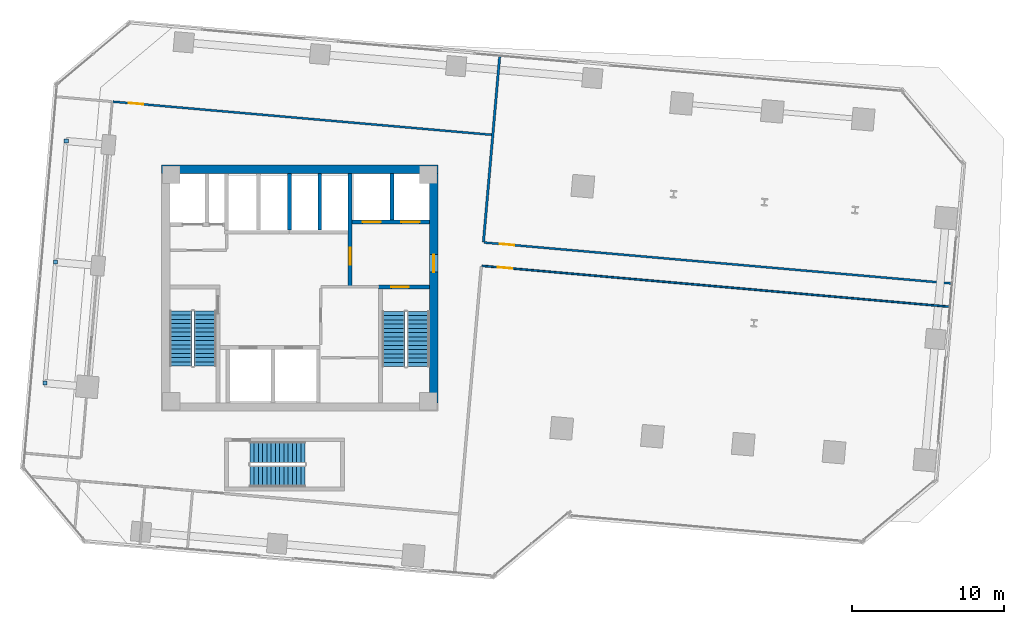
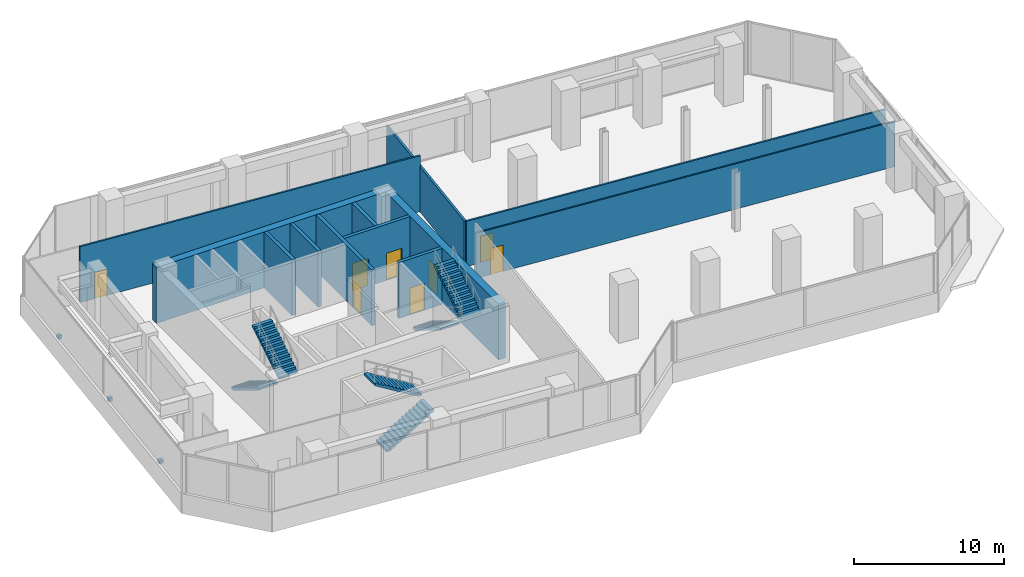
# One storey, part 21 of 24: 12 walls, 8 doors, 6 stair flights, 3 discrete accessories, 8 openings, 3 elements without a shape of their own.
"""IFC4 building model written with IfcOpenShell, lengths in metres."""

from ifc_helpers import new_model, si_unit, direction, frame, frame_2d, origin, origin_2d, place, context, subcontext, project, spatial, polyline, rectangle, outline, extrude, source, transform, mapped, material, layer, layer_set, type_object, element, fill, aggregate, save


model = new_model("IFC4")

# Units and contexts
model_context = context("Model", 3, precision=1e-05, world=origin(), true_north=direction((0.0, 1.0)))
body_context = subcontext(model_context, "Body", "Model", "MODEL_VIEW")
ifc_project = project(units=[si_unit("LENGTHUNIT", "METRE"), si_unit("AREAUNIT", "SQUARE_METRE"), si_unit("VOLUMEUNIT", "CUBIC_METRE"), si_unit("PLANEANGLEUNIT", "RADIAN"), si_unit("MASSUNIT", "GRAM", prefix="KILO")], contexts=[model_context])

# Site, building, storey
site_placement = place(None, origin())
site = spatial("IfcSite", under=ifc_project, at=site_placement, CompositionType="ELEMENT")
building_placement = place(site_placement, origin())
building = spatial("IfcBuilding", under=site, at=building_placement, Name="Torre Montelarca", CompositionType="ELEMENT")
storey_placement = place(building_placement, frame((0.0, 0.0, 47.199951171875)))
storey = spatial("IfcBuildingStorey", under=building, at=storey_placement, Name="L10", CompositionType="ELEMENT", Elevation=47.199951171875)

# Wall, opening, door
ifc_material_1 = material(Name="Concrete C40/50", Category="concrete")
ifc_layer_1 = layer(ifc_material_1, 0.25, Name="Concrete C40/50", Category="concrete")
ifc_layer_set_1 = layer_set([ifc_layer_1], Name="Concrete C40/50")
wall_type_1 = type_object("IfcWallType", Name="CW-SHAFT-250", PredefinedType="SHEAR", material=ifc_layer_set_1)
wall_1_placement = place(storey_placement, frame((23.18994140625, 32.074951171875, 0.0), z_axis=(0.0, 0.0, 1.0), x_axis=(1.0, 0.0, 0.0)))
wall_1 = element("IfcWall", 1, at=wall_1_placement, inside=storey, type_object=wall_type_1, Name="L10 Core Shear Wall SH-ST2-N", PredefinedType="SHEAR", context=body_context, shape_type="SweptSolid", body=[
    extrude(rectangle(XDim=3.35009765625, YDim=0.25, at=frame_2d((1.675048828125, 0.0))), origin(), (0.0, 0.0, 1.0), 4.56005859375),
])
opening_1_placement = place(wall_1_placement, frame((0.85009765625, 0.0, 0.0)))
opening_1 = element("IfcOpeningElement", 2, at=opening_1_placement, cuts=wall_1, Name="Opening FD-ST1", PredefinedType="OPENING", context=body_context, shape_type="SweptSolid", body=[
    extrude(rectangle(XDim=1.14990234375, YDim=2.199951171875, at=frame_2d((0.574951171875, 1.10009765625))), frame((0.0, 0.135009765625, 0.0), z_axis=(0.0, -1.0, 0.0), x_axis=(1.0, 0.0, 0.0)), (0.0, 0.0, 1.0), 0.27001953125),
])
ifc_material_2 = material(Name="Galvanized steel fire door", Category="steel")
door_type_1 = type_object("IfcDoorType", Name="DR-STAIR-115", OperationType="NOTDEFINED", PredefinedType="DOOR", material=ifc_material_2)
shared_shape_1 = source(origin(), body_context, "Body", "SweptSolid", [
    extrude(rectangle(XDim=1.14990234375, YDim=2.199951171875, at=frame_2d((0.574951171875, 1.10009765625))), frame((0.0, 0.02490234375, 0.0), z_axis=(0.0, -1.0, 0.0), x_axis=(1.0, 0.0, 0.0)), (0.0, 0.0, 1.0), 0.050048828125),
])
door_1_placement = place(opening_1_placement, origin())
door_1 = element("IfcDoor", 3, at=door_1_placement, inside=storey, type_object=door_type_1, Name="L10 Exit Stair ST2 Fire Door", OperationType="SINGLE_SWING_RIGHT", OverallHeight=2.199951171875, OverallWidth=1.14990234375, PredefinedType="DOOR", context=body_context, shape_type="MappedRepresentation", body=[
    mapped(shared_shape_1, transform((0.0, 0.0, 0.0), scale=1.0)),
])
fill(opening_1, door_1)

wall_2_placement = place(storey_placement, frame((21.320068359375, 32.1201171875, 0.0), z_axis=(0.0, 0.0, 1.0), x_axis=(0.0, 1.0, 0.0)))
wall_2 = element("IfcWall", 4, at=wall_2_placement, inside=storey, type_object=wall_type_1, Name="L10 Core Shear Wall SH-FFL-W", PredefinedType="SHEAR", context=body_context, shape_type="SweptSolid", body=[
    extrude(rectangle(XDim=7.419921875, YDim=0.25, at=frame_2d((3.7099609375, 0.0))), origin(), (0.0, 0.0, 1.0), 4.56005859375),
])
opening_2_placement = place(wall_2_placement, frame((1.39990234375, 0.0, 0.0)))
opening_2 = element("IfcOpeningElement", 5, at=opening_2_placement, cuts=wall_2, Name="Opening FD-LB1", PredefinedType="OPENING", context=body_context, shape_type="SweptSolid", body=[
    extrude(rectangle(XDim=1.14990234375, YDim=2.199951171875, at=frame_2d((0.574951171875, 1.10009765625))), frame((0.0, 0.135009765625, 0.0), z_axis=(0.0, -1.0, 0.0), x_axis=(1.0, 0.0, 0.0)), (0.0, 0.0, 1.0), 0.27001953125),
])
ifc_material_3 = material(Name="Acoustic timber-veneered fire door", Category="wood")
door_type_2 = type_object("IfcDoorType", Name="DR-LOBBY-115", OperationType="NOTDEFINED", PredefinedType="DOOR", material=ifc_material_3)
shared_shape_2 = source(origin(), body_context, "Body", "SweptSolid", [
    extrude(rectangle(XDim=1.14990234375, YDim=2.199951171875, at=frame_2d((0.574951171875, 1.10009765625))), frame((0.0, 0.02490234375, 0.0), z_axis=(0.0, -1.0, 0.0), x_axis=(1.0, 0.0, 0.0)), (0.0, 0.0, 1.0), 0.050048828125),
])
door_2_placement = place(opening_2_placement, origin())
door_2 = element("IfcDoor", 6, at=door_2_placement, inside=storey, type_object=door_type_2, Name="L10 Lift Lobby to Firefighting Lobby Smoke Door", OperationType="SINGLE_SWING_LEFT", OverallHeight=2.199951171875, OverallWidth=1.14990234375, PredefinedType="DOOR", context=body_context, shape_type="MappedRepresentation", body=[
    mapped(shared_shape_2, transform((0.0, 0.0, 0.0), scale=1.0)),
])
fill(opening_2, door_2)

# Wall, openings, doors
wall_3_placement = place(storey_placement, frame((21.449951171875, 36.35009765625, 0.0), z_axis=(0.0, 0.0, 1.0), x_axis=(1.0, 0.0, 0.0)))
wall_3 = element("IfcWall", 7, at=wall_3_placement, inside=storey, type_object=wall_type_1, Name="L10 Core Shear Wall SH-FF-S", PredefinedType="SHEAR", context=body_context, shape_type="SweptSolid", body=[
    extrude(rectangle(XDim=5.090087890625, YDim=0.25, at=frame_2d((2.544921875, 0.0))), origin(), (0.0, 0.0, 1.0), 4.56005859375),
])
opening_3_placement = place(wall_3_placement, frame((0.699951171875, 0.0, 0.0)))
opening_3 = element("IfcOpeningElement", 8, at=opening_3_placement, cuts=wall_3, Name="Opening LD-120", PredefinedType="OPENING", context=body_context, shape_type="SweptSolid", body=[
    extrude(rectangle(XDim=1.199951171875, YDim=2.199951171875, at=frame_2d((0.60009765625, 1.10009765625))), frame((0.0, 0.135009765625, 0.0), z_axis=(0.0, -1.0, 0.0), x_axis=(1.0, 0.0, 0.0)), (0.0, 0.0, 1.0), 0.27001953125),
])
opening_4_placement = place(wall_3_placement, frame((3.25, 0.0, 0.0)))
opening_4 = element("IfcOpeningElement", 9, at=opening_4_placement, cuts=wall_3, Name="Opening LD-120", PredefinedType="OPENING", context=body_context, shape_type="SweptSolid", body=[
    extrude(rectangle(XDim=1.199951171875, YDim=2.199951171875, at=frame_2d((0.60009765625, 1.10009765625))), frame((0.0, 0.135009765625, 0.0), z_axis=(0.0, -1.0, 0.0), x_axis=(1.0, 0.0, 0.0)), (0.0, 0.0, 1.0), 0.27001953125),
])
ifc_material_4 = material(Name="Brushed stainless steel AISI 316", Category="steel")
door_type_3 = type_object("IfcDoorType", Name="DR-LIFT-120", OperationType="SLIDING_TO_RIGHT", PredefinedType="DOOR", material=ifc_material_4)
shared_shape_3 = source(origin(), body_context, "Body", "SweptSolid", [
    extrude(rectangle(XDim=1.199951171875, YDim=2.199951171875, at=frame_2d((0.60009765625, 1.10009765625))), frame((0.0, 0.02490234375, 0.0), z_axis=(0.0, -1.0, 0.0), x_axis=(1.0, 0.0, 0.0)), (0.0, 0.0, 1.0), 0.050048828125),
])
door_3_placement = place(opening_3_placement, origin())
door_3 = element("IfcDoor", 10, at=door_3_placement, inside=storey, type_object=door_type_3, Name="L10 Lift Landing Sliding Door FF-1", OperationType="SLIDING_TO_LEFT", OverallHeight=2.199951171875, OverallWidth=1.199951171875, PredefinedType="DOOR", context=body_context, shape_type="MappedRepresentation", body=[
    mapped(shared_shape_3, transform((0.0, 0.0, 0.0), scale=1.0)),
])
fill(opening_3, door_3)
door_4_placement = place(opening_4_placement, origin())
door_4 = element("IfcDoor", 11, at=door_4_placement, inside=storey, type_object=door_type_3, Name="L10 Lift Landing Sliding Door FF-2", OperationType="SLIDING_TO_RIGHT", OverallHeight=2.199951171875, OverallWidth=1.199951171875, PredefinedType="DOOR", context=body_context, shape_type="MappedRepresentation", body=[
    mapped(shared_shape_3, transform((0.0, 0.0, 0.0), scale=1.0)),
])
fill(opening_4, door_4)

# Walls
wall_4_placement = place(storey_placement, frame((24.080078125, 36.47998046875, 0.0), z_axis=(0.0, 0.0, 1.0), x_axis=(0.0, 1.0, 0.0)))
element("IfcWall", 12, at=wall_4_placement, inside=storey, type_object=wall_type_1, Name="L10 Core Shear Wall SH-FF-M", PredefinedType="SHEAR", context=body_context, shape_type="SweptSolid", body=[
    extrude(rectangle(XDim=3.06005859375, YDim=0.25, at=frame_2d((1.530029296875, 0.0))), origin(), (0.0, 0.0, 1.0), 4.56005859375),
])
for number, where, z_axis, x_axis, name in (
    (13, (17.320068359375, 35.81005859375, 0.0), (0.0, 0.0, 1.0), (0.0, 1.0, 0.0), "L10 Core Shear Wall SH-PLH-W"),
    (14, (19.320068359375, 35.81005859375, 0.0), (0.0, 0.0, 1.0), (0.0, 1.0, 0.0), "L10 Core Shear Wall SH-PLH-M"),
):
    element("IfcWall", number, at=place(storey_placement, frame(where, z_axis=z_axis, x_axis=x_axis)), inside=storey, type_object=wall_type_1, Name=name, PredefinedType="SHEAR", context=body_context, shape_type="SweptSolid", body=[
        extrude(rectangle(XDim=3.72998046875, YDim=0.25, at=frame_2d((1.864990234375, 0.0))), origin(), (0.0, 0.0, 1.0), 4.56005859375),
    ])

# Wall, opening, door
ifc_material_5 = material(Name="Concrete C70/85", Category="concrete")
ifc_layer_2 = layer(ifc_material_5, 0.550048828125, Name="Concrete C70/85", Category="concrete")
ifc_layer_set_2 = layer_set([ifc_layer_2], Name="Concrete C70/85")
wall_type_2 = type_object("IfcWallType", Name="CW-SHEAR-550", PredefinedType="SHEAR", material=ifc_layer_set_2)
wall_5_placement = place(storey_placement, frame((26.824951171875, 24.449951171875, 0.0), z_axis=(0.0, 0.0, 1.0), x_axis=(0.0, 1.0, 0.0)))
wall_5 = element("IfcWall", 15, at=wall_5_placement, inside=storey, type_object=wall_type_2, Name="L10 Core Shear Wall CW-E", PredefinedType="SHEAR", context=body_context, shape_type="SweptSolid", body=[
    extrude(rectangle(XDim=15.10009765625, YDim=0.550048828125, at=frame_2d((7.550048828125, 0.0))), origin(), (0.0, 0.0, 1.0), 4.56005859375),
])
opening_5_placement = place(wall_5_placement, frame((8.60009765625, 0.0, 0.0)))
opening_5 = element("IfcOpeningElement", 16, at=opening_5_placement, cuts=wall_5, Name="Opening FD-LB1", PredefinedType="OPENING", context=body_context, shape_type="SweptSolid", body=[
    extrude(rectangle(XDim=1.14990234375, YDim=2.199951171875, at=frame_2d((0.574951171875, 1.10009765625))), frame((0.0, 0.28515625, 0.0), z_axis=(0.0, -1.0, 0.0), x_axis=(1.0, 0.0, 0.0)), (0.0, 0.0, 1.0), 0.570068359375),
])
door_5_placement = place(opening_5_placement, origin())
door_5 = element("IfcDoor", 17, at=door_5_placement, inside=storey, type_object=door_type_2, Name="L10 Firefighting Lift Lobby Corridor Fire Door", OperationType="SINGLE_SWING_RIGHT", OverallHeight=2.199951171875, OverallWidth=1.14990234375, PredefinedType="DOOR", context=body_context, shape_type="MappedRepresentation", body=[
    mapped(shared_shape_2, transform((0.0, 0.0, 0.0), scale=1.0)),
])
fill(opening_5, door_5)

# Walls
wall_6_placement = place(storey_placement, frame((8.89990234375, 39.824951171875, 0.0), z_axis=(0.0, 0.0, 1.0), x_axis=(1.0, 0.0, 0.0)))
element("IfcWall", 18, at=wall_6_placement, inside=storey, type_object=wall_type_2, Name="L10 Core Shear Wall CW-N1", PredefinedType="SHEAR", context=body_context, shape_type="SweptSolid", body=[
    extrude(rectangle(XDim=18.2001953125, YDim=0.550048828125, at=frame_2d((9.10009765625, 0.0))), origin(), (0.0, 0.0, 1.0), 4.56005859375),
])
ifc_material_6 = material(Name="Gypsum plasterboard on steel stud", Category="steel")
ifc_layer_3 = layer(ifc_material_6, 0.159912109375, Name="Gypsum plasterboard on steel stud", Category="steel")
ifc_layer_set_3 = layer_set([ifc_layer_3], Name="Gypsum plasterboard on steel stud")
wall_type_3 = type_object("IfcWallType", Name="PW-FIRE-160", PredefinedType="PARTITIONING", material=ifc_layer_set_3)
wall_7_placement = place(storey_placement, frame((30.097900390625, 35.042236328125, 0.0), z_axis=(0.0, 0.0, 1.0), x_axis=(0.087145176091, 0.996195622498, 0.0)))
element("IfcWall", 19, at=wall_7_placement, inside=storey, type_object=wall_type_3, Name="L10 Interior Partition W-L10-ECN", PredefinedType="PARTITIONING", context=body_context, shape_type="SweptSolid", body=[
    extrude(rectangle(XDim=12.239990234375, YDim=0.159912109375, at=frame_2d((6.1201171875, 0.0))), origin(), (0.0, 0.0, 1.0), 3.695068359375),
])

# Wall, opening, door
ifc_layer_4 = layer(ifc_material_6, 0.114990234375, Name="Gypsum plasterboard on steel stud", Category="steel")
ifc_layer_set_4 = layer_set([ifc_layer_4], Name="Gypsum plasterboard on steel stud")
wall_type_4 = type_object("IfcWallType", Name="PW-PART-115", PredefinedType="PARTITIONING", material=ifc_layer_set_4)
wall_8_placement = place(storey_placement, frame((30.0, 33.464599609375, 0.0), z_axis=(0.0, 0.0, 1.0), x_axis=(0.996195270611, -0.087149198574, 0.0)))
wall_8 = element("IfcWall", 20, at=wall_8_placement, inside=storey, type_object=wall_type_4, Name="L10 Interior Partition W-L10-SE-N", PredefinedType="PARTITIONING", context=body_context, shape_type="SweptSolid", body=[
    extrude(rectangle(XDim=30.8798828125, YDim=0.114990234375, at=frame_2d((15.43994140625, 0.0))), origin(), (0.0, 0.0, 1.0), 3.695068359375),
])
opening_6_placement = place(wall_8_placement, frame((1.050048828125, 0.0, 0.0)))
opening_6 = element("IfcOpeningElement", 21, at=opening_6_placement, cuts=wall_8, Name="Opening ID-095", PredefinedType="OPENING", context=body_context, shape_type="SweptSolid", body=[
    extrude(rectangle(XDim=0.949951171875, YDim=2.14990234375, at=frame_2d((0.47509765625, 1.074951171875))), frame((0.0, 0.0673828125, 0.0), z_axis=(0.0, -1.0, 0.0), x_axis=(1.0, 0.0, 0.0)), (0.0, 0.0, 1.0), 0.135009765625),
])
ifc_material_7 = material(Name="Hardwood acoustic timber veneer", Category="wood")
door_type_4 = type_object("IfcDoorType", Name="DR-INT-095", OperationType="NOTDEFINED", PredefinedType="DOOR", material=ifc_material_7)
shared_shape_4 = source(origin(), body_context, "Body", "SweptSolid", [
    extrude(rectangle(XDim=0.949951171875, YDim=2.14990234375, at=frame_2d((0.47509765625, 1.074951171875))), frame((0.0, 0.02490234375, 0.0), z_axis=(0.0, -1.0, 0.0), x_axis=(1.0, 0.0, 0.0)), (0.0, 0.0, 1.0), 0.050048828125),
])
door_6_placement = place(opening_6_placement, origin())
door_6 = element("IfcDoor", 22, at=door_6_placement, inside=storey, type_object=door_type_4, Name="L10 Interior Door 10", OperationType="SINGLE_SWING_LEFT", OverallHeight=2.14990234375, OverallWidth=0.949951171875, PredefinedType="DOOR", context=body_context, shape_type="MappedRepresentation", body=[
    mapped(shared_shape_4, transform((0.0, 0.0, 0.0), scale=1.0)),
])
fill(opening_6, door_6)

ifc_layer_5 = layer(ifc_material_6, 0.135009765625, Name="Gypsum plasterboard on steel stud", Category="steel")
ifc_layer_set_5 = layer_set([ifc_layer_5], Name="Gypsum plasterboard on steel stud")
wall_type_5 = type_object("IfcWallType", Name="PW-PART-135", PredefinedType="PARTITIONING", material=ifc_layer_set_5)
wall_9_placement = place(storey_placement, frame((5.69970703125, 44.273681640625, 0.0), z_axis=(0.0, 0.0, 1.0), x_axis=(0.996195324028, -0.087148587968, 0.0)))
wall_9 = element("IfcWall", 23, at=wall_9_placement, inside=storey, type_object=wall_type_5, Name="L10 Interior Partition W-L10-NBOT", PredefinedType="PARTITIONING", context=body_context, shape_type="SweptSolid", body=[
    extrude(rectangle(XDim=25.070068359375, YDim=0.135009765625, at=frame_2d((12.53515625, 0.0))), origin(), (0.0, 0.0, 1.0), 4.56005859375),
])
opening_7_placement = place(wall_9_placement, frame((1.050048828125, 0.0, 0.0)))
opening_7 = element("IfcOpeningElement", 24, at=opening_7_placement, cuts=wall_9, Name="Opening ID-095", PredefinedType="OPENING", context=body_context, shape_type="SweptSolid", body=[
    extrude(rectangle(XDim=0.949951171875, YDim=2.14990234375, at=frame_2d((0.47509765625, 1.074951171875))), frame((0.0, 0.07763671875, 0.0), z_axis=(0.0, -1.0, 0.0), x_axis=(1.0, 0.0, 0.0)), (0.0, 0.0, 1.0), 0.155029296875),
])
door_7_placement = place(opening_7_placement, origin())
door_7 = element("IfcDoor", 25, at=door_7_placement, inside=storey, type_object=door_type_4, Name="L10 Interior Door 07", OperationType="SINGLE_SWING_LEFT", OverallHeight=2.14990234375, OverallWidth=0.949951171875, PredefinedType="DOOR", context=body_context, shape_type="MappedRepresentation", body=[
    mapped(shared_shape_4, transform((0.0, 0.0, 0.0), scale=1.0)),
])
fill(opening_7, door_7)

wall_10_placement = place(storey_placement, frame((30.13427734375, 34.998779296875, 0.0), z_axis=(0.0, 0.0, 1.0), x_axis=(0.996195270611, -0.087149198574, 0.0)))
wall_10 = element("IfcWall", 26, at=wall_10_placement, inside=storey, type_object=wall_type_5, Name="L10 Interior Partition W-L10-NE-S", PredefinedType="PARTITIONING", context=body_context, shape_type="SweptSolid", body=[
    extrude(rectangle(XDim=30.8798828125, YDim=0.135009765625, at=frame_2d((15.43994140625, 0.0))), origin(), (0.0, 0.0, 1.0), 3.695068359375),
])
opening_8_placement = place(wall_10_placement, frame((1.050048828125, 0.0, 0.0)))
opening_8 = element("IfcOpeningElement", 27, at=opening_8_placement, cuts=wall_10, Name="Opening ID-095", PredefinedType="OPENING", context=body_context, shape_type="SweptSolid", body=[
    extrude(rectangle(XDim=0.949951171875, YDim=2.14990234375, at=frame_2d((0.47509765625, 1.074951171875))), frame((0.0, 0.07763671875, 0.0), z_axis=(0.0, -1.0, 0.0), x_axis=(1.0, 0.0, 0.0)), (0.0, 0.0, 1.0), 0.155029296875),
])
door_8_placement = place(opening_8_placement, origin())
door_8 = element("IfcDoor", 28, at=door_8_placement, inside=storey, type_object=door_type_4, Name="L10 Interior Door 09", OperationType="SINGLE_SWING_LEFT", OverallHeight=2.14990234375, OverallWidth=0.949951171875, PredefinedType="DOOR", context=body_context, shape_type="MappedRepresentation", body=[
    mapped(shared_shape_4, transform((0.0, 0.0, 0.0), scale=1.0)),
])
fill(opening_8, door_8)

# Stair, stair flights
stair_type_1 = type_object("IfcStairType", Name="ST-CORE-ST1", PredefinedType="HALF_TURN_STAIR", material=ifc_material_1)
stair_1_placement = place(storey_placement, origin())
stair_1 = element("IfcStair", 29, at=stair_1_placement, inside=storey, type_object=stair_type_1, Name="L10 Protected Exit Stair ST1", PredefinedType="HALF_TURN_STAIR")
stair_flight_type_1 = type_object("IfcStairFlightType", Name="SFL-CORE-ST1", PredefinedType="STRAIGHT", material=ifc_material_1)
stair_flight_1_placement = place(storey_placement, frame((10.175048828125, 30.5, 0.0), z_axis=(0.0, 0.0, 1.0), x_axis=(0.0, -1.0, 0.0)))
stair_flight_1 = element("IfcStairFlight", 30, at=stair_flight_1_placement, type_object=stair_flight_type_1, Name="ST1 flight 1", NumberOfRisers=14, NumberOfTreads=13, PredefinedType="STRAIGHT", RiserHeight=0.171428571, TreadLength=0.28, context=body_context, shape_type="SweptSolid", body=[
    extrude(outline(polyline([(0.0, 0.0), (0.0, 0.17138671875), (0.280029296875, 0.17138671875), (0.280029296875, 0.3427734375), (0.56005859375, 0.3427734375), (0.56005859375, 0.514404296875), (0.840087890625, 0.514404296875), (0.840087890625, 0.685791015625), (1.1201171875, 0.685791015625), (1.1201171875, 0.857177734375), (1.39990234375, 0.857177734375), (1.39990234375, 1.028564453125), (1.679931640625, 1.028564453125), (1.679931640625, 1.199951171875), (1.9599609375, 1.199951171875), (1.9599609375, 1.371337890625), (2.239990234375, 1.371337890625), (2.239990234375, 1.54296875), (2.52001953125, 1.54296875), (2.52001953125, 1.71435546875), (2.800048828125, 1.71435546875), (2.800048828125, 1.8857421875), (3.080078125, 1.8857421875), (3.080078125, 2.05712890625), (3.360107421875, 2.05712890625), (3.360107421875, 2.228515625), (3.639892578125, 2.228515625), (3.639892578125, 2.39990234375), (3.639892578125, 2.052734375), (0.287109375, 0.0), (0.0, 0.0)])), frame((0.0, 0.72509765625, 0.0), z_axis=(0.0, -1.0, 0.0), x_axis=(1.0, 0.0, 0.0)), (0.0, 0.0, 1.0), 1.449951171875),
])
stair_flight_2_placement = place(storey_placement, frame((11.77490234375, 26.860107421875, 2.400146484375), z_axis=(0.0, 0.0, 1.0), x_axis=(0.0, 1.0, 0.0)))
stair_flight_2 = element("IfcStairFlight", 31, at=stair_flight_2_placement, type_object=stair_flight_type_1, Name="ST1 flight 2", NumberOfRisers=14, NumberOfTreads=13, PredefinedType="STRAIGHT", RiserHeight=0.171428571, TreadLength=0.28, context=body_context, shape_type="SweptSolid", body=[
    extrude(outline(polyline([(0.0, 0.0), (0.0, 0.17138671875), (0.280029296875, 0.17138671875), (0.280029296875, 0.3427734375), (0.56005859375, 0.3427734375), (0.56005859375, 0.514404296875), (0.840087890625, 0.514404296875), (0.840087890625, 0.685791015625), (1.1201171875, 0.685791015625), (1.1201171875, 0.857177734375), (1.39990234375, 0.857177734375), (1.39990234375, 1.028564453125), (1.679931640625, 1.028564453125), (1.679931640625, 1.199951171875), (1.9599609375, 1.199951171875), (1.9599609375, 1.371337890625), (2.239990234375, 1.371337890625), (2.239990234375, 1.54296875), (2.52001953125, 1.54296875), (2.52001953125, 1.71435546875), (2.800048828125, 1.71435546875), (2.800048828125, 1.8857421875), (3.080078125, 1.8857421875), (3.080078125, 2.05712890625), (3.360107421875, 2.05712890625), (3.360107421875, 2.228515625), (3.639892578125, 2.228515625), (3.639892578125, 2.39990234375), (3.639892578125, 2.052734375), (0.287109375, 0.0), (0.0, 0.0)])), frame((0.0, 0.72509765625, 0.0), z_axis=(0.0, -1.0, 0.0), x_axis=(1.0, 0.0, 0.0)), (0.0, 0.0, 1.0), 1.449951171875),
])
aggregate(stair_1, [stair_flight_1, stair_flight_2])

stair_type_2 = type_object("IfcStairType", Name="ST-CORE-ST2", PredefinedType="HALF_TURN_STAIR", material=ifc_material_1)
stair_2_placement = place(storey_placement, origin())
stair_2 = element("IfcStair", 32, at=stair_2_placement, inside=storey, type_object=stair_type_2, Name="L10 Protected Exit Stair ST2", PredefinedType="HALF_TURN_STAIR")
stair_flight_type_2 = type_object("IfcStairFlightType", Name="SFL-CORE-ST2", PredefinedType="STRAIGHT", material=ifc_material_1)
stair_flight_3_placement = place(storey_placement, frame((24.179931640625, 30.469970703125, 0.0), z_axis=(0.0, 0.0, 1.0), x_axis=(0.0, -1.0, 0.0)))
stair_flight_3 = element("IfcStairFlight", 33, at=stair_flight_3_placement, type_object=stair_flight_type_2, Name="ST2 flight 1", NumberOfRisers=14, NumberOfTreads=13, PredefinedType="STRAIGHT", RiserHeight=0.171428571, TreadLength=0.28, context=body_context, shape_type="SweptSolid", body=[
    extrude(outline(polyline([(0.0, 0.0), (0.0, 0.17138671875), (0.280029296875, 0.17138671875), (0.280029296875, 0.3427734375), (0.56005859375, 0.3427734375), (0.56005859375, 0.514404296875), (0.840087890625, 0.514404296875), (0.840087890625, 0.685791015625), (1.1201171875, 0.685791015625), (1.1201171875, 0.857177734375), (1.39990234375, 0.857177734375), (1.39990234375, 1.028564453125), (1.679931640625, 1.028564453125), (1.679931640625, 1.199951171875), (1.9599609375, 1.199951171875), (1.9599609375, 1.371337890625), (2.239990234375, 1.371337890625), (2.239990234375, 1.54296875), (2.52001953125, 1.54296875), (2.52001953125, 1.71435546875), (2.800048828125, 1.71435546875), (2.800048828125, 1.8857421875), (3.080078125, 1.8857421875), (3.080078125, 2.05712890625), (3.360107421875, 2.05712890625), (3.360107421875, 2.228515625), (3.639892578125, 2.228515625), (3.639892578125, 2.39990234375), (3.639892578125, 2.052734375), (0.287109375, 0.0), (0.0, 0.0)])), frame((0.0, 0.739990234375, 0.0), z_axis=(0.0, -1.0, 0.0), x_axis=(1.0, 0.0, 0.0)), (0.0, 0.0, 1.0), 1.47998046875),
])
stair_flight_4_placement = place(storey_placement, frame((25.81005859375, 26.830078125, 2.400146484375), z_axis=(0.0, 0.0, 1.0), x_axis=(0.0, 1.0, 0.0)))
stair_flight_4 = element("IfcStairFlight", 34, at=stair_flight_4_placement, type_object=stair_flight_type_2, Name="ST2 flight 2", NumberOfRisers=14, NumberOfTreads=13, PredefinedType="STRAIGHT", RiserHeight=0.171428571, TreadLength=0.28, context=body_context, shape_type="SweptSolid", body=[
    extrude(outline(polyline([(0.0, 0.0), (0.0, 0.17138671875), (0.280029296875, 0.17138671875), (0.280029296875, 0.3427734375), (0.56005859375, 0.3427734375), (0.56005859375, 0.514404296875), (0.840087890625, 0.514404296875), (0.840087890625, 0.685791015625), (1.1201171875, 0.685791015625), (1.1201171875, 0.857177734375), (1.39990234375, 0.857177734375), (1.39990234375, 1.028564453125), (1.679931640625, 1.028564453125), (1.679931640625, 1.199951171875), (1.9599609375, 1.199951171875), (1.9599609375, 1.371337890625), (2.239990234375, 1.371337890625), (2.239990234375, 1.54296875), (2.52001953125, 1.54296875), (2.52001953125, 1.71435546875), (2.800048828125, 1.71435546875), (2.800048828125, 1.8857421875), (3.080078125, 1.8857421875), (3.080078125, 2.05712890625), (3.360107421875, 2.05712890625), (3.360107421875, 2.228515625), (3.639892578125, 2.228515625), (3.639892578125, 2.39990234375), (3.639892578125, 2.052734375), (0.287109375, 0.0), (0.0, 0.0)])), frame((0.0, 0.739990234375, 0.0), z_axis=(0.0, -1.0, 0.0), x_axis=(1.0, 0.0, 0.0)), (0.0, 0.0, 1.0), 1.47998046875),
])
aggregate(stair_2, [stair_flight_3, stair_flight_4])

stair_type_3 = type_object("IfcStairType", Name="ST-CORE-ST3", PredefinedType="HALF_TURN_STAIR", material=ifc_material_1)
stair_3_placement = place(storey_placement, origin())
stair_3 = element("IfcStair", 35, at=stair_3_placement, inside=storey, type_object=stair_type_3, Name="L10 Low-Rise Exit Stair ST3", PredefinedType="HALF_TURN_STAIR")
stair_flight_type_3 = type_object("IfcStairFlightType", Name="SFL-CORE-ST3", PredefinedType="STRAIGHT", material=ifc_material_1)
stair_flight_5_placement = place(storey_placement, frame((14.719970703125, 19.610107421875, 0.0), z_axis=(0.0, 0.0, 1.0), x_axis=(1.0, 0.0, 0.0)))
stair_flight_5 = element("IfcStairFlight", 36, at=stair_flight_5_placement, type_object=stair_flight_type_3, Name="ST3 flight 1", NumberOfRisers=14, NumberOfTreads=13, PredefinedType="STRAIGHT", RiserHeight=0.171428571, TreadLength=0.28, context=body_context, shape_type="SweptSolid", body=[
    extrude(outline(polyline([(0.0, 0.0), (0.0, 0.17138671875), (0.280029296875, 0.17138671875), (0.280029296875, 0.3427734375), (0.56005859375, 0.3427734375), (0.56005859375, 0.514404296875), (0.840087890625, 0.514404296875), (0.840087890625, 0.685791015625), (1.1201171875, 0.685791015625), (1.1201171875, 0.857177734375), (1.39990234375, 0.857177734375), (1.39990234375, 1.028564453125), (1.679931640625, 1.028564453125), (1.679931640625, 1.199951171875), (1.9599609375, 1.199951171875), (1.9599609375, 1.371337890625), (2.239990234375, 1.371337890625), (2.239990234375, 1.54296875), (2.52001953125, 1.54296875), (2.52001953125, 1.71435546875), (2.800048828125, 1.71435546875), (2.800048828125, 1.8857421875), (3.080078125, 1.8857421875), (3.080078125, 2.05712890625), (3.360107421875, 2.05712890625), (3.360107421875, 2.228515625), (3.639892578125, 2.228515625), (3.639892578125, 2.39990234375), (3.639892578125, 2.052734375), (0.287109375, 0.0), (0.0, 0.0)])), frame((0.0, 0.7099609375, 0.0), z_axis=(0.0, -1.0, 0.0), x_axis=(1.0, 0.0, 0.0)), (0.0, 0.0, 1.0), 1.419921875),
])
stair_flight_6_placement = place(storey_placement, frame((18.360107421875, 21.179931640625, 2.400146484375), z_axis=(0.0, 0.0, 1.0), x_axis=(-1.0, 0.0, 0.0)))
stair_flight_6 = element("IfcStairFlight", 37, at=stair_flight_6_placement, type_object=stair_flight_type_3, Name="ST3 flight 2", NumberOfRisers=14, NumberOfTreads=13, PredefinedType="STRAIGHT", RiserHeight=0.171428571, TreadLength=0.28, context=body_context, shape_type="SweptSolid", body=[
    extrude(outline(polyline([(0.0, 0.0), (0.0, 0.17138671875), (0.280029296875, 0.17138671875), (0.280029296875, 0.3427734375), (0.56005859375, 0.3427734375), (0.56005859375, 0.514404296875), (0.840087890625, 0.514404296875), (0.840087890625, 0.685791015625), (1.1201171875, 0.685791015625), (1.1201171875, 0.857177734375), (1.39990234375, 0.857177734375), (1.39990234375, 1.028564453125), (1.679931640625, 1.028564453125), (1.679931640625, 1.199951171875), (1.9599609375, 1.199951171875), (1.9599609375, 1.371337890625), (2.239990234375, 1.371337890625), (2.239990234375, 1.54296875), (2.52001953125, 1.54296875), (2.52001953125, 1.71435546875), (2.800048828125, 1.71435546875), (2.800048828125, 1.8857421875), (3.080078125, 1.8857421875), (3.080078125, 2.05712890625), (3.360107421875, 2.05712890625), (3.360107421875, 2.228515625), (3.639892578125, 2.228515625), (3.639892578125, 2.39990234375), (3.639892578125, 2.052734375), (0.287109375, 0.0), (0.0, 0.0)])), frame((0.0, 0.7099609375, 0.0), z_axis=(0.0, -1.0, 0.0), x_axis=(1.0, 0.0, 0.0)), (0.0, 0.0, 1.0), 1.419921875),
])
aggregate(stair_3, [stair_flight_5, stair_flight_6])

# Discrete accessories
ifc_material_8 = material(Name="Stainless steel AISI 316", Category="steel")
discrete_accessory_type = type_object("IfcDiscreteAccessoryType", Name="ACC-BRACKET-SS", PredefinedType="BRACKET", material=ifc_material_8)
shared_shape_5 = source(origin(), body_context, "Body", "SweptSolid", [
    extrude(rectangle(XDim=0.280029296875, YDim=0.280029296875, at=origin_2d()), origin(), (0.0, 0.0, 1.0), 0.280029296875),
])
for number, where, z_axis, x_axis, name in (
    (38, (1.2275390625, 25.7431640625, -0.27978515625), (0.0, 0.0, 1.0), (1.0, 0.0, 0.0), "L10 Raker End Connection Bracket W1-HD"),
    (39, (1.9248046875, 33.712646484375, -0.27978515625), (0.0, 0.0, 1.0), (1.0, 0.0, 0.0), "L10 Raker End Connection Bracket W2-HD"),
    (40, (2.6220703125, 41.68212890625, -0.27978515625), (0.0, 0.0, 1.0), (1.0, 0.0, 0.0), "L10 Raker End Connection Bracket W3-HD"),
):
    element("IfcDiscreteAccessory", number, at=place(storey_placement, frame(where, z_axis=z_axis, x_axis=x_axis)), inside=storey, type_object=discrete_accessory_type, Name=name, PredefinedType="BRACKET", context=body_context, shape_type="MappedRepresentation", body=[
        mapped(shared_shape_5, transform((0.0, 0.0, 0.0), scale=1.0)),
    ])

save(model, "model.ifc")
